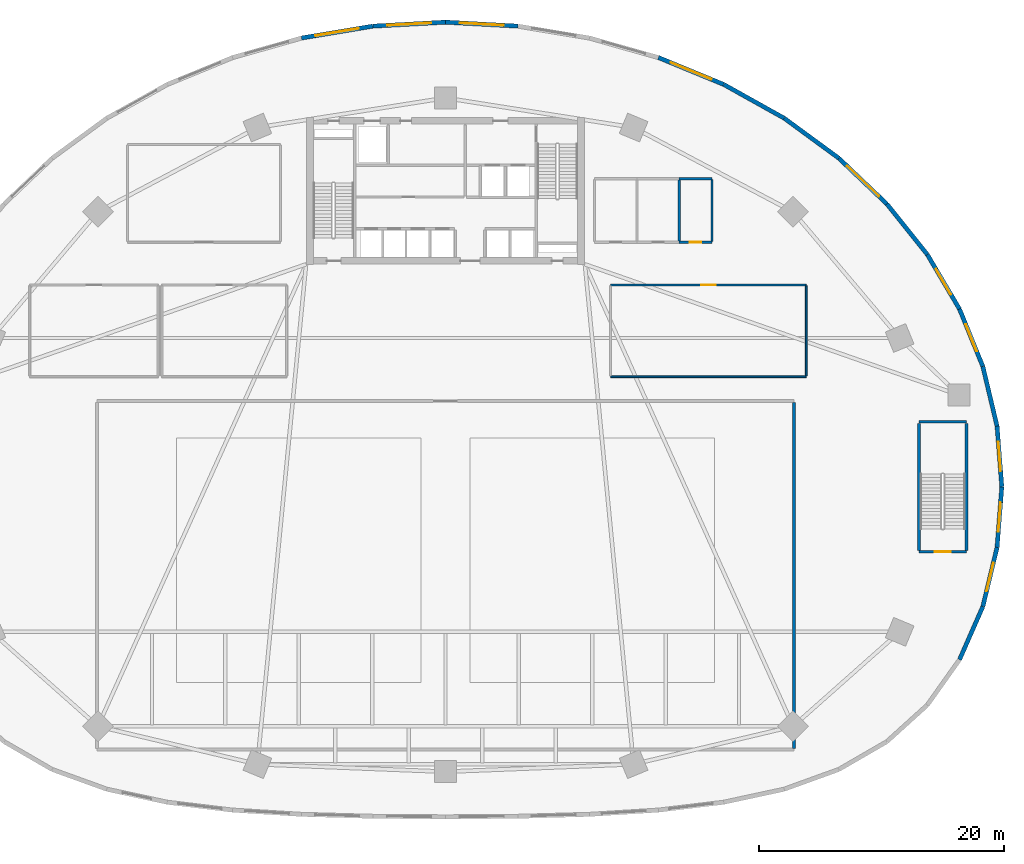
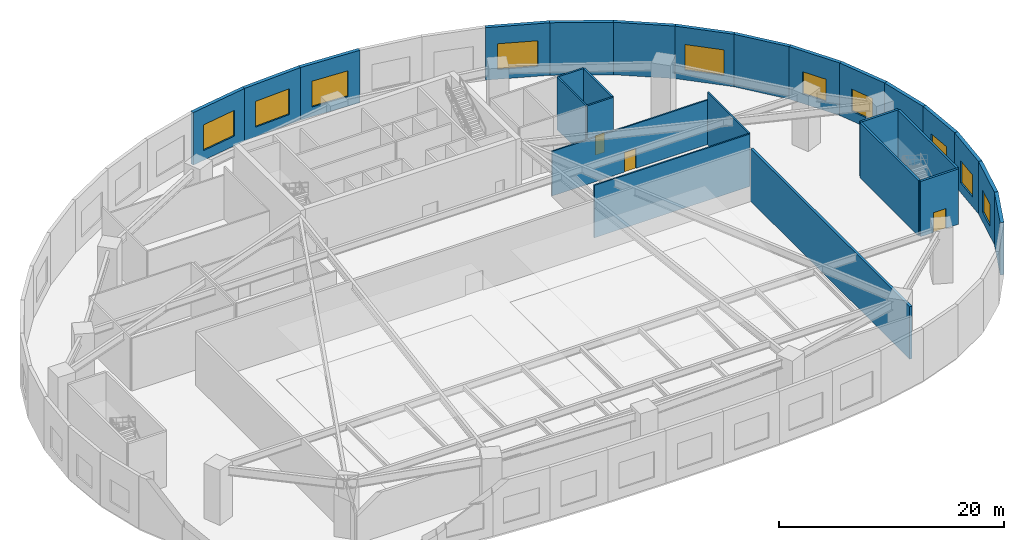
# One storey, part 5 of 10: 27 walls, 10 windows, 3 doors, 13 openings.
"""IFC4 building model written with IfcOpenShell, lengths in metres."""

from ifc_helpers import new_model, si_unit, direction, frame, frame_2d, origin, place, context, subcontext, project, spatial, rectangle, extrude, source, transform, mapped, material, layer, layer_set, type_object, type_shapes, element, fill, save


model = new_model("IFC4")

# Units and contexts
model_context = context("Model", 3, precision=1e-05, world=origin(), true_north=direction((0.0, 1.0)))
body_context = subcontext(model_context, "Body", "Model", "MODEL_VIEW")
ifc_project = project(units=[si_unit("LENGTHUNIT", "METRE"), si_unit("AREAUNIT", "SQUARE_METRE"), si_unit("VOLUMEUNIT", "CUBIC_METRE"), si_unit("PLANEANGLEUNIT", "RADIAN"), si_unit("MASSUNIT", "GRAM", prefix="KILO")], contexts=[model_context])

# Site, building, storey
site_placement = place(None, origin())
site = spatial("IfcSite", under=ifc_project, at=site_placement, CompositionType="ELEMENT")
building_placement = place(site_placement, origin())
building = spatial("IfcBuilding", under=site, at=building_placement, Name="Breltana Convention Tower", CompositionType="ELEMENT")
storey_placement = place(building_placement, frame((0.0, 0.0, 12.0)))
storey = spatial("IfcBuildingStorey", under=building, at=storey_placement, Name="L02", CompositionType="ELEMENT", Elevation=12.0)

# Wall, opening, window
ifc_material_1 = material(Name="Limestone Buff Insulated Wall", Category="masonry")
ifc_layer_1 = layer(ifc_material_1, 0.35009765625, Name="Limestone Buff Insulated Wall")
ifc_layer_set_1 = layer_set([ifc_layer_1], Name="Limestone Buff Insulated Wall")
wall_type_1 = type_object("IfcWallType", Name="WL-EXT-POD-350", PredefinedType="SOLIDWALL", material=ifc_layer_set_1)
shared_shape_1 = source(origin(), body_context, "Body", "SweptSolid", [
    extrude(rectangle(XDim=4.975341796875, YDim=0.35009765625, at=frame_2d((2.48779296875, 0.0))), origin(), (0.0, 0.0, 1.0), 5.699951171875),
])
type_shapes(wall_type_1, [shared_shape_1])
wall_1_placement = place(storey_placement, frame((93.5, 42.0, 0.0), z_axis=(0.0, 0.0, 1.0), x_axis=(-0.07826870534, 0.996932299489, 0.0)))
wall_1 = element("IfcWall", 1, at=wall_1_placement, inside=storey, type_object=wall_type_1, Name="L02 limestone facade wall 1", PredefinedType="SOLIDWALL", context=body_context, shape_type="MappedRepresentation", body=[
    mapped(shared_shape_1, transform((0.0, 0.0, 0.0), scale=1.0)),
])
opening_1_placement = place(wall_1_placement, frame((1.28759765625, 0.0, 1.050048828125)))
opening_1 = element("IfcOpeningElement", 2, at=opening_1_placement, cuts=wall_1, Name="Opening W-02", PredefinedType="OPENING", context=body_context, shape_type="SweptSolid", body=[
    extrude(rectangle(XDim=2.39990234375, YDim=2.39990234375, at=frame_2d((1.199951171875, 1.199951171875))), frame((0.0, 0.18505859375, 0.0), z_axis=(0.0, -1.0, 0.0), x_axis=(1.0, 0.0, 0.0)), (0.0, 0.0, 1.0), 0.3701171875),
])
ifc_material_2 = material(Name="Glass Low-E Insulated Window", Category="glass")
window_type_1 = type_object("IfcWindowType", Name="WN-POD-2400X2400", PartitioningType="DOUBLE_PANEL_VERTICAL", PredefinedType="WINDOW", material=ifc_material_2)
shared_shape_2 = source(origin(), body_context, "Body", "SweptSolid", [
    extrude(rectangle(XDim=2.39990234375, YDim=2.39990234375, at=frame_2d((1.199951171875, 1.199951171875))), frame((0.0, 0.030029296875, 0.0), z_axis=(0.0, -1.0, 0.0), x_axis=(1.0, 0.0, 0.0)), (0.0, 0.0, 1.0), 0.06005859375),
])
type_shapes(window_type_1, [shared_shape_2])
window_1_placement = place(opening_1_placement, origin())
window_1 = element("IfcWindow", 3, at=window_1_placement, inside=storey, type_object=window_type_1, Name="L02 tripartite window 1.1", OverallHeight=2.39990234375, OverallWidth=2.39990234375, PartitioningType="DOUBLE_PANEL_VERTICAL", PredefinedType="WINDOW", context=body_context, shape_type="MappedRepresentation", body=[
    mapped(shared_shape_2, transform((0.0, 0.0, 0.0), scale=1.0)),
])
fill(opening_1, window_1)

wall_2_placement = place(storey_placement, frame((93.110595703125, 37.0400390625, 0.0), z_axis=(0.0, 0.0, 1.0), x_axis=(0.07826870534, 0.996932299489, 0.0)))
wall_2 = element("IfcWall", 4, at=wall_2_placement, inside=storey, type_object=wall_type_1, Name="L02 limestone facade wall 48", PredefinedType="SOLIDWALL", context=body_context, shape_type="MappedRepresentation", body=[
    mapped(shared_shape_1, transform((0.0, 0.0, 0.0), scale=1.0)),
])
opening_2_placement = place(wall_2_placement, frame((1.28759765625, 0.0, 1.050048828125)))
opening_2 = element("IfcOpeningElement", 5, at=opening_2_placement, cuts=wall_2, Name="Opening W-02", PredefinedType="OPENING", context=body_context, shape_type="SweptSolid", body=[
    extrude(rectangle(XDim=2.39990234375, YDim=2.39990234375, at=frame_2d((1.199951171875, 1.199951171875))), frame((0.0, 0.18505859375, 0.0), z_axis=(0.0, -1.0, 0.0), x_axis=(1.0, 0.0, 0.0)), (0.0, 0.0, 1.0), 0.3701171875),
])
window_2_placement = place(opening_2_placement, origin())
window_2 = element("IfcWindow", 6, at=window_2_placement, inside=storey, type_object=window_type_1, Name="L02 tripartite window 48.1", OverallHeight=2.39990234375, OverallWidth=2.39990234375, PartitioningType="DOUBLE_PANEL_VERTICAL", PredefinedType="WINDOW", context=body_context, shape_type="MappedRepresentation", body=[
    mapped(shared_shape_2, transform((0.0, 0.0, 0.0), scale=1.0)),
])
fill(opening_2, window_2)

# Wall
shared_shape_3 = source(origin(), body_context, "Body", "SweptSolid", [
    extrude(rectangle(XDim=5.011474609375, YDim=0.35009765625, at=frame_2d((2.505859375, 0.0))), origin(), (0.0, 0.0, 1.0), 5.699951171875),
])
wall_3_placement = place(storey_placement, frame((93.110595703125, 46.9599609375, 0.0), z_axis=(0.0, 0.0, 1.0), x_axis=(-0.23164248061, 0.972800987446, 0.0)))
element("IfcWall", 7, at=wall_3_placement, inside=storey, type_object=wall_type_1, Name="L02 limestone facade wall 2", PredefinedType="SOLIDWALL", context=body_context, shape_type="MappedRepresentation", body=[
    mapped(shared_shape_3, transform((0.0, 0.0, 0.0), scale=1.0)),
])

# Wall, opening, window
shared_shape_4 = source(origin(), body_context, "Body", "SweptSolid", [
    extrude(rectangle(XDim=5.080810546875, YDim=0.35009765625, at=frame_2d((2.54052734375, 0.0))), origin(), (0.0, 0.0, 1.0), 5.699951171875),
])
wall_4_placement = place(storey_placement, frame((91.94970703125, 51.835205078125, 0.0), z_axis=(0.0, 0.0, 1.0), x_axis=(-0.376538155573, 0.926401110425, 0.0)))
wall_4 = element("IfcWall", 8, at=wall_4_placement, inside=storey, type_object=wall_type_1, Name="L02 limestone facade wall 3", PredefinedType="SOLIDWALL", context=body_context, shape_type="MappedRepresentation", body=[
    mapped(shared_shape_4, transform((0.0, 0.0, 0.0), scale=1.0)),
])
opening_3_placement = place(wall_4_placement, frame((1.34033203125, 0.0, 1.050048828125)))
opening_3 = element("IfcOpeningElement", 9, at=opening_3_placement, cuts=wall_4, Name="Opening W-02", PredefinedType="OPENING", context=body_context, shape_type="SweptSolid", body=[
    extrude(rectangle(XDim=2.39990234375, YDim=2.39990234375, at=frame_2d((1.199951171875, 1.199951171875))), frame((0.0, 0.18505859375, 0.0), z_axis=(0.0, -1.0, 0.0), x_axis=(1.0, 0.0, 0.0)), (0.0, 0.0, 1.0), 0.3701171875),
])
window_3_placement = place(opening_3_placement, origin())
window_3 = element("IfcWindow", 10, at=window_3_placement, inside=storey, type_object=window_type_1, Name="L02 tripartite window 3.1", OverallHeight=2.39990234375, OverallWidth=2.39990234375, PartitioningType="DOUBLE_PANEL_VERTICAL", PredefinedType="WINDOW", context=body_context, shape_type="MappedRepresentation", body=[
    mapped(shared_shape_2, transform((0.0, 0.0, 0.0), scale=1.0)),
])
fill(opening_3, window_3)

shared_shape_5 = source(origin(), body_context, "Body", "SweptSolid", [
    extrude(rectangle(XDim=5.17724609375, YDim=0.35009765625, at=frame_2d((2.588623046875, 0.0))), origin(), (0.0, 0.0, 1.0), 5.699951171875),
])
wall_5_placement = place(storey_placement, frame((90.03662109375, 56.5419921875, 0.0), z_axis=(0.0, 0.0, 1.0), x_axis=(-0.508449663637, 0.861091713784, 0.0)))
wall_5 = element("IfcWall", 11, at=wall_5_placement, inside=storey, type_object=wall_type_1, Name="L02 limestone facade wall 4", PredefinedType="SOLIDWALL", context=body_context, shape_type="MappedRepresentation", body=[
    mapped(shared_shape_5, transform((0.0, 0.0, 0.0), scale=1.0)),
])
opening_4_placement = place(wall_5_placement, frame((1.388671875, 0.0, 1.050048828125)))
opening_4 = element("IfcOpeningElement", 12, at=opening_4_placement, cuts=wall_5, Name="Opening W-02", PredefinedType="OPENING", context=body_context, shape_type="SweptSolid", body=[
    extrude(rectangle(XDim=2.39990234375, YDim=2.39990234375, at=frame_2d((1.199951171875, 1.199951171875))), frame((0.0, 0.18505859375, 0.0), z_axis=(0.0, -1.0, 0.0), x_axis=(1.0, 0.0, 0.0)), (0.0, 0.0, 1.0), 0.3701171875),
])
window_4_placement = place(opening_4_placement, origin())
window_4 = element("IfcWindow", 13, at=window_4_placement, inside=storey, type_object=window_type_1, Name="L02 tripartite window 4.1", OverallHeight=2.39990234375, OverallWidth=2.39990234375, PartitioningType="DOUBLE_PANEL_VERTICAL", PredefinedType="WINDOW", context=body_context, shape_type="MappedRepresentation", body=[
    mapped(shared_shape_2, transform((0.0, 0.0, 0.0), scale=1.0)),
])
fill(opening_4, window_4)

# Wall
shared_shape_6 = source(origin(), body_context, "Body", "SweptSolid", [
    extrude(rectangle(XDim=5.292724609375, YDim=0.35009765625, at=frame_2d((2.646484375, 0.0))), origin(), (0.0, 0.0, 1.0), 5.699951171875),
])
wall_6_placement = place(storey_placement, frame((87.404296875, 61.0, 0.0), z_axis=(0.0, 0.0, 1.0), x_axis=(-0.624740048177, 0.780832806818, 0.0)))
element("IfcWall", 14, at=wall_6_placement, inside=storey, type_object=wall_type_1, Name="L02 limestone facade wall 5", PredefinedType="SOLIDWALL", context=body_context, shape_type="MappedRepresentation", body=[
    mapped(shared_shape_6, transform((0.0, 0.0, 0.0), scale=1.0)),
])

# Wall, opening, window
shared_shape_7 = source(origin(), body_context, "Body", "SweptSolid", [
    extrude(rectangle(XDim=5.419189453125, YDim=0.35009765625, at=frame_2d((2.70947265625, 0.0))), origin(), (0.0, 0.0, 1.0), 5.699951171875),
])
wall_7_placement = place(storey_placement, frame((84.09765625, 65.1328125, 0.0), z_axis=(0.0, 0.0, 1.0), x_axis=(-0.724150787336, 0.689641673046, 0.0)))
wall_7 = element("IfcWall", 15, at=wall_7_placement, inside=storey, type_object=wall_type_1, Name="L02 limestone facade wall 6", PredefinedType="SOLIDWALL", context=body_context, shape_type="MappedRepresentation", body=[
    mapped(shared_shape_7, transform((0.0, 0.0, 0.0), scale=1.0)),
])
opening_5_placement = place(wall_7_placement, frame((0.909423828125, 0.0, 1.050048828125)))
opening_5 = element("IfcOpeningElement", 16, at=opening_5_placement, cuts=wall_7, Name="Opening W-01", PredefinedType="OPENING", context=body_context, shape_type="SweptSolid", body=[
    extrude(rectangle(XDim=3.60009765625, YDim=2.800048828125, at=frame_2d((1.800048828125, 1.39990234375))), frame((0.0, 0.18505859375, 0.0), z_axis=(0.0, -1.0, 0.0), x_axis=(1.0, 0.0, 0.0)), (0.0, 0.0, 1.0), 0.3701171875),
])
window_type_2 = type_object("IfcWindowType", Name="WN-POD-3600X2800", PartitioningType="TRIPLE_PANEL_VERTICAL", PredefinedType="WINDOW", material=ifc_material_2)
shared_shape_8 = source(origin(), body_context, "Body", "SweptSolid", [
    extrude(rectangle(XDim=3.60009765625, YDim=2.800048828125, at=frame_2d((1.800048828125, 1.39990234375))), frame((0.0, 0.030029296875, 0.0), z_axis=(0.0, -1.0, 0.0), x_axis=(1.0, 0.0, 0.0)), (0.0, 0.0, 1.0), 0.06005859375),
])
type_shapes(window_type_2, [shared_shape_8])
window_5_placement = place(opening_5_placement, origin())
window_5 = element("IfcWindow", 17, at=window_5_placement, inside=storey, type_object=window_type_2, Name="L02 tripartite window 6.1", OverallHeight=2.800048828125, OverallWidth=3.60009765625, PartitioningType="TRIPLE_PANEL_VERTICAL", PredefinedType="WINDOW", context=body_context, shape_type="MappedRepresentation", body=[
    mapped(shared_shape_8, transform((0.0, 0.0, 0.0), scale=1.0)),
])
fill(opening_5, window_5)

# Walls
shared_shape_9 = source(origin(), body_context, "Body", "SweptSolid", [
    extrude(rectangle(XDim=5.546630859375, YDim=0.35009765625, at=frame_2d((2.7734375, 0.0))), origin(), (0.0, 0.0, 1.0), 5.699951171875),
])
wall_8_placement = place(storey_placement, frame((80.17333984375, 68.8701171875, 0.0), z_axis=(0.0, 0.0, 1.0), x_axis=(-0.806767275837, 0.590869327887, 0.0)))
element("IfcWall", 18, at=wall_8_placement, inside=storey, type_object=wall_type_1, Name="L02 limestone facade wall 7", PredefinedType="SOLIDWALL", context=body_context, shape_type="MappedRepresentation", body=[
    mapped(shared_shape_9, transform((0.0, 0.0, 0.0), scale=1.0)),
])
shared_shape_10 = source(origin(), body_context, "Body", "SweptSolid", [
    extrude(rectangle(XDim=5.666748046875, YDim=0.35009765625, at=frame_2d((2.83349609375, 0.0))), origin(), (0.0, 0.0, 1.0), 5.699951171875),
])
wall_9_placement = place(storey_placement, frame((75.698486328125, 72.1474609375, 0.0), z_axis=(0.0, 0.0, 1.0), x_axis=(-0.873233089296, 0.487302751642, 0.0)))
element("IfcWall", 19, at=wall_9_placement, inside=storey, type_object=wall_type_1, Name="L02 limestone facade wall 8", PredefinedType="SOLIDWALL", context=body_context, shape_type="MappedRepresentation", body=[
    mapped(shared_shape_10, transform((0.0, 0.0, 0.0), scale=1.0)),
])

# Wall, opening, window
shared_shape_11 = source(origin(), body_context, "Body", "SweptSolid", [
    extrude(rectangle(XDim=5.77294921875, YDim=0.35009765625, at=frame_2d((2.886474609375, 0.0))), origin(), (0.0, 0.0, 1.0), 5.699951171875),
])
wall_10_placement = place(storey_placement, frame((70.75, 74.908935546875, 0.0), z_axis=(0.0, 0.0, 1.0), x_axis=(-0.924645688874, 0.380828504771, 0.0)))
wall_10 = element("IfcWall", 20, at=wall_10_placement, inside=storey, type_object=wall_type_1, Name="L02 limestone facade wall 9", PredefinedType="SOLIDWALL", context=body_context, shape_type="MappedRepresentation", body=[
    mapped(shared_shape_11, transform((0.0, 0.0, 0.0), scale=1.0)),
])
opening_6_placement = place(wall_10_placement, frame((1.08642578125, 0.0, 1.050048828125)))
opening_6 = element("IfcOpeningElement", 21, at=opening_6_placement, cuts=wall_10, Name="Opening W-01", PredefinedType="OPENING", context=body_context, shape_type="SweptSolid", body=[
    extrude(rectangle(XDim=3.60009765625, YDim=2.800048828125, at=frame_2d((1.800048828125, 1.39990234375))), frame((0.0, 0.18505859375, 0.0), z_axis=(0.0, -1.0, 0.0), x_axis=(1.0, 0.0, 0.0)), (0.0, 0.0, 1.0), 0.3701171875),
])
window_6_placement = place(opening_6_placement, origin())
window_6 = element("IfcWindow", 22, at=window_6_placement, inside=storey, type_object=window_type_2, Name="L02 tripartite window 9.1", OverallHeight=2.800048828125, OverallWidth=3.60009765625, PartitioningType="TRIPLE_PANEL_VERTICAL", PredefinedType="WINDOW", context=body_context, shape_type="MappedRepresentation", body=[
    mapped(shared_shape_8, transform((0.0, 0.0, 0.0), scale=1.0)),
])
fill(opening_6, window_6)

shared_shape_12 = source(origin(), body_context, "Body", "SweptSolid", [
    extrude(rectangle(XDim=5.91748046875, YDim=0.35009765625, at=frame_2d((2.958740234375, 0.0))), origin(), (0.0, 0.0, 1.0), 5.699951171875),
])
wall_11_placement = place(storey_placement, frame((42.06103515625, 79.6748046875, 0.0), z_axis=(0.0, 0.0, 1.0), x_axis=(-0.986480762285, -0.163877105303, 0.0)))
wall_11 = element("IfcWall", 23, at=wall_11_placement, inside=storey, type_object=wall_type_1, Name="L02 limestone facade wall 14", PredefinedType="SOLIDWALL", context=body_context, shape_type="MappedRepresentation", body=[
    mapped(shared_shape_12, transform((0.0, 0.0, 0.0), scale=1.0)),
])
opening_7_placement = place(wall_11_placement, frame((1.15869140625, 0.0, 1.050048828125)))
opening_7 = element("IfcOpeningElement", 24, at=opening_7_placement, cuts=wall_11, Name="Opening W-01", PredefinedType="OPENING", context=body_context, shape_type="SweptSolid", body=[
    extrude(rectangle(XDim=3.60009765625, YDim=2.800048828125, at=frame_2d((1.800048828125, 1.39990234375))), frame((0.0, 0.18505859375, 0.0), z_axis=(0.0, -1.0, 0.0), x_axis=(1.0, 0.0, 0.0)), (0.0, 0.0, 1.0), 0.3701171875),
])
window_7_placement = place(opening_7_placement, origin())
window_7 = element("IfcWindow", 25, at=window_7_placement, inside=storey, type_object=window_type_2, Name="L02 tripartite window 14.1", OverallHeight=2.800048828125, OverallWidth=3.60009765625, PartitioningType="TRIPLE_PANEL_VERTICAL", PredefinedType="WINDOW", context=body_context, shape_type="MappedRepresentation", body=[
    mapped(shared_shape_8, transform((0.0, 0.0, 0.0), scale=1.0)),
])
fill(opening_7, window_7)

shared_shape_13 = source(origin(), body_context, "Body", "SweptSolid", [
    extrude(rectangle(XDim=5.94775390625, YDim=0.35009765625, at=frame_2d((2.973876953125, 0.0))), origin(), (0.0, 0.0, 1.0), 5.699951171875),
])
wall_12_placement = place(storey_placement, frame((53.93896484375, 79.6748046875, 0.0), z_axis=(0.0, 0.0, 1.0), x_axis=(-0.998504240403, 0.054674325751, 0.0)))
wall_12 = element("IfcWall", 26, at=wall_12_placement, inside=storey, type_object=wall_type_1, Name="L02 limestone facade wall 12", PredefinedType="SOLIDWALL", context=body_context, shape_type="MappedRepresentation", body=[
    mapped(shared_shape_13, transform((0.0, 0.0, 0.0), scale=1.0)),
])
opening_8_placement = place(wall_12_placement, frame((1.173828125, 0.0, 1.050048828125)))
opening_8 = element("IfcOpeningElement", 27, at=opening_8_placement, cuts=wall_12, Name="Opening W-01", PredefinedType="OPENING", context=body_context, shape_type="SweptSolid", body=[
    extrude(rectangle(XDim=3.60009765625, YDim=2.800048828125, at=frame_2d((1.800048828125, 1.39990234375))), frame((0.0, 0.18505859375, 0.0), z_axis=(0.0, -1.0, 0.0), x_axis=(1.0, 0.0, 0.0)), (0.0, 0.0, 1.0), 0.3701171875),
])
window_8_placement = place(opening_8_placement, origin())
window_8 = element("IfcWindow", 28, at=window_8_placement, inside=storey, type_object=window_type_2, Name="L02 tripartite window 12.1", OverallHeight=2.800048828125, OverallWidth=3.60009765625, PartitioningType="TRIPLE_PANEL_VERTICAL", PredefinedType="WINDOW", context=body_context, shape_type="MappedRepresentation", body=[
    mapped(shared_shape_8, transform((0.0, 0.0, 0.0), scale=1.0)),
])
fill(opening_8, window_8)

wall_13_placement = place(storey_placement, frame((48.0, 80.0, 0.0), z_axis=(0.0, 0.0, 1.0), x_axis=(-0.998504240403, -0.054674325751, 0.0)))
wall_13 = element("IfcWall", 29, at=wall_13_placement, inside=storey, type_object=wall_type_1, Name="L02 limestone facade wall 13", PredefinedType="SOLIDWALL", context=body_context, shape_type="MappedRepresentation", body=[
    mapped(shared_shape_13, transform((0.0, 0.0, 0.0), scale=1.0)),
])
opening_9_placement = place(wall_13_placement, frame((1.173828125, 0.0, 1.050048828125)))
opening_9 = element("IfcOpeningElement", 30, at=opening_9_placement, cuts=wall_13, Name="Opening W-01", PredefinedType="OPENING", context=body_context, shape_type="SweptSolid", body=[
    extrude(rectangle(XDim=3.60009765625, YDim=2.800048828125, at=frame_2d((1.800048828125, 1.39990234375))), frame((0.0, 0.18505859375, 0.0), z_axis=(0.0, -1.0, 0.0), x_axis=(1.0, 0.0, 0.0)), (0.0, 0.0, 1.0), 0.3701171875),
])
window_9_placement = place(opening_9_placement, origin())
window_9 = element("IfcWindow", 31, at=window_9_placement, inside=storey, type_object=window_type_2, Name="L02 tripartite window 13.1", OverallHeight=2.800048828125, OverallWidth=3.60009765625, PartitioningType="TRIPLE_PANEL_VERTICAL", PredefinedType="WINDOW", context=body_context, shape_type="MappedRepresentation", body=[
    mapped(shared_shape_8, transform((0.0, 0.0, 0.0), scale=1.0)),
])
fill(opening_9, window_9)

shared_shape_14 = source(origin(), body_context, "Body", "SweptSolid", [
    extrude(rectangle(XDim=4.968994140625, YDim=0.35009765625, at=frame_2d((2.484375, 0.0))), origin(), (0.0, 0.0, 1.0), 5.699951171875),
])
wall_14_placement = place(storey_placement, frame((91.94970703125, 32.20849609375, 0.0), z_axis=(0.0, 0.0, 1.0), x_axis=(0.233623809029, 0.972327062184, 0.0)))
wall_14 = element("IfcWall", 32, at=wall_14_placement, inside=storey, type_object=wall_type_1, Name="L02 limestone facade wall 47", PredefinedType="SOLIDWALL", context=body_context, shape_type="MappedRepresentation", body=[
    mapped(shared_shape_14, transform((0.0, 0.0, 0.0), scale=1.0)),
])
opening_10_placement = place(wall_14_placement, frame((1.284423828125, 0.0, 1.050048828125)))
opening_10 = element("IfcOpeningElement", 33, at=opening_10_placement, cuts=wall_14, Name="Opening W-02", PredefinedType="OPENING", context=body_context, shape_type="SweptSolid", body=[
    extrude(rectangle(XDim=2.39990234375, YDim=2.39990234375, at=frame_2d((1.199951171875, 1.199951171875))), frame((0.0, 0.18505859375, 0.0), z_axis=(0.0, -1.0, 0.0), x_axis=(1.0, 0.0, 0.0)), (0.0, 0.0, 1.0), 0.3701171875),
])
window_10_placement = place(opening_10_placement, origin())
window_10 = element("IfcWindow", 34, at=window_10_placement, inside=storey, type_object=window_type_1, Name="L02 tripartite window 47.1", OverallHeight=2.39990234375, OverallWidth=2.39990234375, PartitioningType="DOUBLE_PANEL_VERTICAL", PredefinedType="WINDOW", context=body_context, shape_type="MappedRepresentation", body=[
    mapped(shared_shape_2, transform((0.0, 0.0, 0.0), scale=1.0)),
])
fill(opening_10, window_10)

# Wall
shared_shape_15 = source(origin(), body_context, "Body", "SweptSolid", [
    extrude(rectangle(XDim=4.756103515625, YDim=0.35009765625, at=frame_2d((2.3779296875, 0.0))), origin(), (0.0, 0.0, 1.0), 5.699951171875),
])
wall_15_placement = place(storey_placement, frame((90.03662109375, 27.854248046875, 0.0), z_axis=(0.0, 0.0, 1.0), x_axis=(0.402248274654, 0.915530625123, 0.0)))
element("IfcWall", 35, at=wall_15_placement, inside=storey, type_object=wall_type_1, Name="L02 limestone facade wall 46", PredefinedType="SOLIDWALL", context=body_context, shape_type="MappedRepresentation", body=[
    mapped(shared_shape_15, transform((0.0, 0.0, 0.0), scale=1.0)),
])

# Wall, opening, door
ifc_material_3 = material(Name="Concrete C40/50", Category="concrete")
ifc_layer_2 = layer(ifc_material_3, 0.219970703125, Name="Concrete C40/50")
ifc_layer_set_2 = layer_set([ifc_layer_2], Name="Concrete C40/50")
wall_type_2 = type_object("IfcWallType", Name="WL-SHAFT-220", PredefinedType="SOLIDWALL", material=ifc_layer_set_2)
shared_shape_16 = source(origin(), body_context, "Body", "SweptSolid", [
    extrude(rectangle(XDim=3.89013671875, YDim=0.219970703125, at=frame_2d((1.945068359375, 0.0))), origin(), (0.0, 0.0, 1.0), 6.0),
])
wall_16_placement = place(storey_placement, frame((86.719970703125, 36.68994140625, 0.0), z_axis=(0.0, 0.0, 1.0), x_axis=(1.0, 0.0, 0.0)))
wall_16 = element("IfcWall", 36, at=wall_16_placement, inside=storey, type_object=wall_type_2, Name="L02 interior partition W-L02-ST4-S", PredefinedType="SOLIDWALL", context=body_context, shape_type="MappedRepresentation", body=[
    mapped(shared_shape_16, transform((0.0, 0.0, 0.0), scale=1.0)),
])
opening_11_placement = place(wall_16_placement, frame((1.294921875, 0.0, 0.0)))
opening_11 = element("IfcOpeningElement", 37, at=opening_11_placement, cuts=wall_16, Name="Opening D-08", PredefinedType="OPENING", context=body_context, shape_type="SweptSolid", body=[
    extrude(rectangle(XDim=1.300048828125, YDim=2.14990234375, at=frame_2d((0.64990234375, 1.074951171875))), frame((0.0, 0.1201171875, 0.0), z_axis=(0.0, -1.0, 0.0), x_axis=(1.0, 0.0, 0.0)), (0.0, 0.0, 1.0), 0.239990234375),
])
ifc_material_4 = material(Name="Steel Fire Exit Door", Category="steel")
door_type_1 = type_object("IfcDoorType", Name="DR-FD120-1300", OperationType="NOTDEFINED", PredefinedType="DOOR", material=ifc_material_4)
shared_shape_17 = source(origin(), body_context, "Body", "SweptSolid", [
    extrude(rectangle(XDim=1.300048828125, YDim=2.14990234375, at=frame_2d((0.64990234375, 1.074951171875))), frame((0.0, 0.02490234375, 0.0), z_axis=(0.0, -1.0, 0.0), x_axis=(1.0, 0.0, 0.0)), (0.0, 0.0, 1.0), 0.050048828125),
])
type_shapes(door_type_1, [shared_shape_17])
door_1_placement = place(opening_11_placement, origin())
door_1 = element("IfcDoor", 38, at=door_1_placement, inside=storey, type_object=door_type_1, Name="L02 interior door D-L02-ST4", OperationType="SINGLE_SWING_LEFT", OverallHeight=2.14990234375, OverallWidth=1.300048828125, PredefinedType="DOOR", context=body_context, shape_type="MappedRepresentation", body=[
    mapped(shared_shape_17, transform((0.0, 0.0, 0.0), scale=1.0)),
])
fill(opening_11, door_1)

# Walls
wall_17_placement = place(storey_placement, frame((86.719970703125, 47.31005859375, 0.0), z_axis=(0.0, 0.0, 1.0), x_axis=(1.0, 0.0, 0.0)))
element("IfcWall", 39, at=wall_17_placement, inside=storey, type_object=wall_type_2, Name="L02 interior partition W-L02-ST4-N", PredefinedType="SOLIDWALL", context=body_context, shape_type="MappedRepresentation", body=[
    mapped(shared_shape_16, transform((0.0, 0.0, 0.0), scale=1.0)),
])
shared_shape_18 = source(origin(), body_context, "Body", "SweptSolid", [
    extrude(rectangle(XDim=10.3798828125, YDim=0.219970703125, at=frame_2d((5.18994140625, 0.0))), origin(), (0.0, 0.0, 1.0), 6.0),
])
for number, where, z_axis, x_axis, name in (
    (40, (86.719970703125, 36.81005859375, 0.0), (0.0, 0.0, 1.0), (0.0, 1.0, 0.0), "L02 interior partition W-L02-ST4-W"),
    (41, (90.610107421875, 36.81005859375, 0.0), (0.0, 0.0, 1.0), (0.0, 1.0, 0.0), "L02 interior partition W-L02-ST4-E"),
):
    element("IfcWall", number, at=place(storey_placement, frame(where, z_axis=z_axis, x_axis=x_axis)), inside=storey, type_object=wall_type_2, Name=name, PredefinedType="SOLIDWALL", context=body_context, shape_type="MappedRepresentation", body=[
        mapped(shared_shape_18, transform((0.0, 0.0, 0.0), scale=1.0)),
    ])
ifc_material_5 = material(Name="Cement Board Wet-Area Partition")
ifc_layer_3 = layer(ifc_material_5, 0.175048828125, Name="Cement Board Wet-Area Partition")
ifc_layer_set_3 = layer_set([ifc_layer_3], Name="Cement Board Wet-Area Partition")
wall_type_3 = type_object("IfcWallType", Name="WL-WET-175", PredefinedType="PARTITIONING", material=ifc_layer_set_3)
shared_shape_19 = source(origin(), body_context, "Body", "SweptSolid", [
    extrude(rectangle(XDim=5.042724609375, YDim=0.175048828125, at=frame_2d((2.521484375, 0.0))), origin(), (0.0, 0.0, 1.0), 5.699951171875),
])
for number, where, z_axis, x_axis, name in (
    (42, (67.112060546875, 62.07861328125, 0.0), (0.0, 0.0, 1.0), (0.0, 1.0, 0.0), "L02 interior partition W-L02-WCF-E"),
    (43, (69.800048828125, 62.07861328125, 0.0), (0.0, 0.0, 1.0), (0.0, 1.0, 0.0), "L02 interior partition W-L02-WCA-E"),
):
    element("IfcWall", number, at=place(storey_placement, frame(where, z_axis=z_axis, x_axis=x_axis)), inside=storey, type_object=wall_type_3, Name=name, PredefinedType="PARTITIONING", context=body_context, shape_type="MappedRepresentation", body=[
        mapped(shared_shape_19, transform((0.0, 0.0, 0.0), scale=1.0)),
    ])

# Wall, opening, door
shared_shape_20 = source(origin(), body_context, "Body", "SweptSolid", [
    extrude(rectangle(XDim=2.68798828125, YDim=0.175048828125, at=frame_2d((1.343994140625, 0.0))), origin(), (0.0, 0.0, 1.0), 5.699951171875),
])
wall_18_placement = place(storey_placement, frame((67.112060546875, 62.0, 0.0), z_axis=(0.0, 0.0, 1.0), x_axis=(1.0, 0.0, 0.0)))
wall_18 = element("IfcWall", 44, at=wall_18_placement, inside=storey, type_object=wall_type_3, Name="L02 interior partition W-L02-WCA-S", PredefinedType="PARTITIONING", context=body_context, shape_type="MappedRepresentation", body=[
    mapped(shared_shape_20, transform((0.0, 0.0, 0.0), scale=1.0)),
])
opening_12_placement = place(wall_18_placement, frame((0.868896484375, 0.0, 0.0)))
opening_12 = element("IfcOpeningElement", 45, at=opening_12_placement, cuts=wall_18, Name="Opening D-16", PredefinedType="OPENING", context=body_context, shape_type="SweptSolid", body=[
    extrude(rectangle(XDim=0.949951171875, YDim=2.1201171875, at=frame_2d((0.47509765625, 1.06005859375))), frame((0.0, 0.09765625, 0.0), z_axis=(0.0, -1.0, 0.0), x_axis=(1.0, 0.0, 0.0)), (0.0, 0.0, 1.0), 0.195068359375),
])
ifc_material_6 = material(Name="Timber Laminate Accessible Door", Category="wood")
door_type_2 = type_object("IfcDoorType", Name="DR-ACC-950", OperationType="NOTDEFINED", PredefinedType="DOOR", material=ifc_material_6)
shared_shape_21 = source(origin(), body_context, "Body", "SweptSolid", [
    extrude(rectangle(XDim=0.949951171875, YDim=2.1201171875, at=frame_2d((0.47509765625, 1.06005859375))), frame((0.0, 0.02490234375, 0.0), z_axis=(0.0, -1.0, 0.0), x_axis=(1.0, 0.0, 0.0)), (0.0, 0.0, 1.0), 0.050048828125),
])
type_shapes(door_type_2, [shared_shape_21])
door_2_placement = place(opening_12_placement, origin())
door_2 = element("IfcDoor", 46, at=door_2_placement, inside=storey, type_object=door_type_2, Name="L02 interior door D-L02-WCA", OperationType="SINGLE_SWING_RIGHT", OverallHeight=2.1201171875, OverallWidth=0.949951171875, PredefinedType="DOOR", context=body_context, shape_type="MappedRepresentation", body=[
    mapped(shared_shape_21, transform((0.0, 0.0, 0.0), scale=1.0)),
])
fill(opening_12, door_2)

# Walls
ifc_material_7 = material(Name="Moisture-Resistant Gypsum Chase Wall")
ifc_layer_4 = layer(ifc_material_7, 0.179931640625, Name="Moisture-Resistant Gypsum Chase Wall")
ifc_layer_set_4 = layer_set([ifc_layer_4], Name="Moisture-Resistant Gypsum Chase Wall")
wall_type_4 = type_object("IfcWallType", Name="WL-PLUMB-180", PredefinedType="PLUMBINGWALL", material=ifc_layer_set_4)
shared_shape_22 = source(origin(), body_context, "Body", "SweptSolid", [
    extrude(rectangle(XDim=2.68798828125, YDim=0.179931640625, at=frame_2d((1.343994140625, 0.0))), origin(), (0.0, 0.0, 1.0), 5.699951171875),
])
wall_19_placement = place(storey_placement, frame((67.112060546875, 67.199951171875, 0.0), z_axis=(0.0, 0.0, 1.0), x_axis=(1.0, 0.0, 0.0)))
element("IfcWall", 47, at=wall_19_placement, inside=storey, type_object=wall_type_4, Name="L02 interior partition W-L02-WCA-N", PredefinedType="PLUMBINGWALL", context=body_context, shape_type="MappedRepresentation", body=[
    mapped(shared_shape_22, transform((0.0, 0.0, 0.0), scale=1.0)),
])
ifc_material_8 = material(Name="Gypsum Acoustic Double Stud Wall")
ifc_layer_5 = layer(ifc_material_8, 0.25, Name="Gypsum Acoustic Double Stud Wall")
ifc_layer_set_5 = layer_set([ifc_layer_5], Name="Gypsum Acoustic Double Stud Wall")
wall_type_5 = type_object("IfcWallType", Name="WL-ACOUSTIC-250", PredefinedType="PARTITIONING", material=ifc_layer_set_5)
shared_shape_23 = source(origin(), body_context, "Body", "SweptSolid", [
    extrude(rectangle(XDim=28.27490234375, YDim=0.25, at=frame_2d((14.137451171875, 0.0))), origin(), (0.0, 0.0, 1.0), 5.699951171875),
])
wall_20_placement = place(storey_placement, frame((76.5, 20.612548828125, 0.0), z_axis=(0.0, 0.0, 1.0), x_axis=(0.0, 1.0, 0.0)))
element("IfcWall", 48, at=wall_20_placement, inside=storey, type_object=wall_type_5, Name="L02 interior partition W-L02-EXH-E", PredefinedType="PARTITIONING", context=body_context, shape_type="MappedRepresentation", body=[
    mapped(shared_shape_23, transform((0.0, 0.0, 0.0), scale=1.0)),
])
ifc_material_9 = material(Name="Gypsum Acoustic Drywall Partition")
ifc_layer_6 = layer(ifc_material_9, 0.14990234375, Name="Gypsum Acoustic Drywall Partition")
ifc_layer_set_6 = layer_set([ifc_layer_6], Name="Gypsum Acoustic Drywall Partition")
wall_type_6 = type_object("IfcWallType", Name="WL-PART-150", PredefinedType="PARTITIONING", material=ifc_layer_set_6)
shared_shape_24 = source(origin(), body_context, "Body", "SweptSolid", [
    extrude(rectangle(XDim=16.0, YDim=0.14990234375, at=frame_2d((8.0, 0.0))), origin(), (0.0, 0.0, 1.0), 5.699951171875),
])
wall_21_placement = place(storey_placement, frame((61.5, 51.0, 0.0), z_axis=(0.0, 0.0, 1.0), x_axis=(1.0, 0.0, 0.0)))
element("IfcWall", 49, at=wall_21_placement, inside=storey, type_object=wall_type_6, Name="L02 interior partition W-L02-ORG-S", PredefinedType="PARTITIONING", context=body_context, shape_type="MappedRepresentation", body=[
    mapped(shared_shape_24, transform((0.0, 0.0, 0.0), scale=1.0)),
])

# Wall, opening, door
shared_shape_25 = source(origin(), body_context, "Body", "SweptSolid", [
    extrude(rectangle(XDim=16.0, YDim=0.14990234375, at=frame_2d((8.0, 0.0))), origin(), (0.0, 0.0, 1.0), 4.833984375),
])
wall_22_placement = place(storey_placement, frame((61.5, 58.5, 0.0), z_axis=(0.0, 0.0, 1.0), x_axis=(1.0, 0.0, 0.0)))
wall_22 = element("IfcWall", 50, at=wall_22_placement, inside=storey, type_object=wall_type_6, Name="L02 interior partition W-L02-ORG-N", PredefinedType="PARTITIONING", context=body_context, shape_type="MappedRepresentation", body=[
    mapped(shared_shape_25, transform((0.0, 0.0, 0.0), scale=1.0)),
])
opening_13_placement = place(wall_22_placement, frame((7.39990234375, 0.0, 0.0)))
opening_13 = element("IfcOpeningElement", 51, at=opening_13_placement, cuts=wall_22, Name="Opening D-10", PredefinedType="OPENING", context=body_context, shape_type="SweptSolid", body=[
    extrude(rectangle(XDim=1.199951171875, YDim=2.14990234375, at=frame_2d((0.60009765625, 1.074951171875))), frame((0.0, 0.0849609375, 0.0), z_axis=(0.0, -1.0, 0.0), x_axis=(1.0, 0.0, 0.0)), (0.0, 0.0, 1.0), 0.169921875),
])
ifc_material_10 = material(Name="Timber Oak Veneer Fire Door", Category="wood")
door_type_3 = type_object("IfcDoorType", Name="DR-INT-1200", OperationType="NOTDEFINED", PredefinedType="DOOR", material=ifc_material_10)
shared_shape_26 = source(origin(), body_context, "Body", "SweptSolid", [
    extrude(rectangle(XDim=1.199951171875, YDim=2.14990234375, at=frame_2d((0.60009765625, 1.074951171875))), frame((0.0, 0.02490234375, 0.0), z_axis=(0.0, -1.0, 0.0), x_axis=(1.0, 0.0, 0.0)), (0.0, 0.0, 1.0), 0.050048828125),
])
type_shapes(door_type_3, [shared_shape_26])
door_3_placement = place(opening_13_placement, origin())
door_3 = element("IfcDoor", 52, at=door_3_placement, inside=storey, type_object=door_type_3, Name="L02 interior door D-L02-ORG", OperationType="SINGLE_SWING_RIGHT", OverallHeight=2.14990234375, OverallWidth=1.199951171875, PredefinedType="DOOR", context=body_context, shape_type="MappedRepresentation", body=[
    mapped(shared_shape_26, transform((0.0, 0.0, 0.0), scale=1.0)),
])
fill(opening_13, door_3)

# Wall
shared_shape_27 = source(origin(), body_context, "Body", "SweptSolid", [
    extrude(rectangle(XDim=7.365234375, YDim=0.14990234375, at=frame_2d((3.6826171875, 0.0))), origin(), (0.0, 0.0, 1.0), 5.699951171875),
])
wall_23_placement = place(storey_placement, frame((77.5, 51.0673828125, 0.0), z_axis=(0.0, 0.0, 1.0), x_axis=(0.0, 1.0, 0.0)))
element("IfcWall", 53, at=wall_23_placement, inside=storey, type_object=wall_type_6, Name="L02 interior partition W-L02-ORG-E", PredefinedType="PARTITIONING", context=body_context, shape_type="MappedRepresentation", body=[
    mapped(shared_shape_27, transform((0.0, 0.0, 0.0), scale=1.0)),
])

save(model, "model.ifc")
